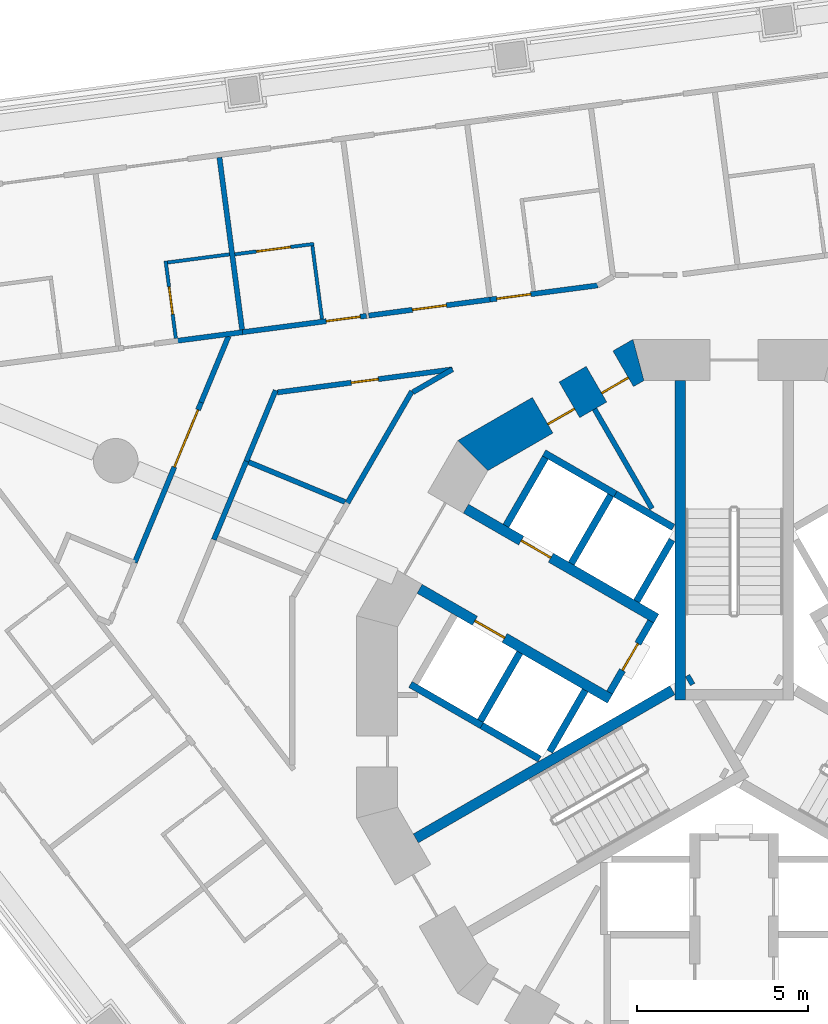
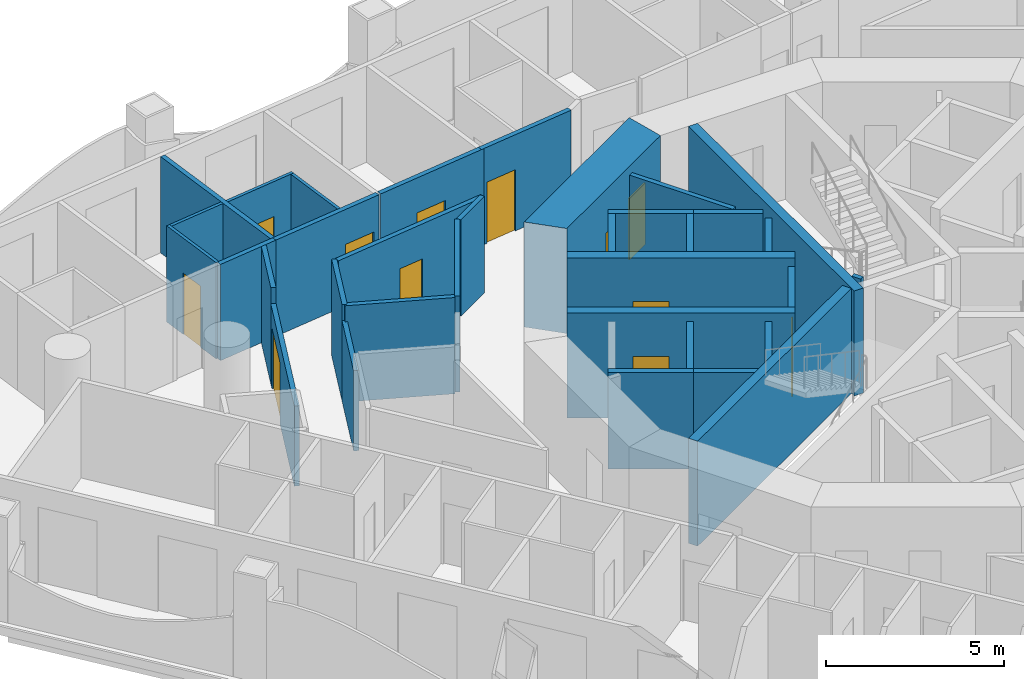
# One storey, part 7 of 19: 34 walls, 12 doors, 12 openings.
"""IFC4 building model written with IfcOpenShell, lengths in metres."""

from ifc_helpers import new_model, si_unit, direction, frame, frame_2d, origin, place, context, subcontext, project, spatial, polyline, rectangle, outline, extrude, material, layer, layer_set, type_object, element, fill, save


model = new_model("IFC4")

# Units and contexts
model_context = context("Model", 3, precision=1e-05, world=origin(), true_north=direction((0.0, 1.0)))
body_context = subcontext(model_context, "Body", "Model", "MODEL_VIEW")
ifc_project = project(units=[si_unit("LENGTHUNIT", "METRE"), si_unit("AREAUNIT", "SQUARE_METRE"), si_unit("VOLUMEUNIT", "CUBIC_METRE"), si_unit("PLANEANGLEUNIT", "RADIAN"), si_unit("MASSUNIT", "GRAM", prefix="KILO")], contexts=[model_context])

# Site, building, storey
site_placement = place(None, origin())
site = spatial("IfcSite", under=ifc_project, at=site_placement, CompositionType="ELEMENT")
building_placement = place(site_placement, origin())
building = spatial("IfcBuilding", under=site, at=building_placement, Name="Trine Commons Tower", CompositionType="ELEMENT")
storey_placement = place(building_placement, frame((0.0, 0.0, 54.0)))
storey = spatial("IfcBuildingStorey", under=building, at=storey_placement, Name="L12", CompositionType="ELEMENT", Elevation=54.0)

# Wall
ifc_material_1 = material(Name="Plasterboard partition on steel studs", Category="steel")
ifc_layer_1 = layer(ifc_material_1, 0.14990234375)
ifc_layer_set_1 = layer_set([ifc_layer_1], Name="Plasterboard partition on steel studs")
wall_type_1 = type_object("IfcWallType", Name="Core room partition 150 mm, EI 60", PredefinedType="PARTITIONING", material=ifc_layer_set_1)
wall_1_placement = place(storey_placement, frame((75.928955078125, 71.47900390625, 0.0), z_axis=(0.0, 0.0, 1.0), x_axis=(0.499985139611, -0.866033983264, 0.0)))
element("IfcWall", 1, at=wall_1_placement, inside=storey, type_object=wall_type_1, Name="Core room partition L12", PredefinedType="PARTITIONING", context=body_context, shape_type="SweptSolid", body=[
    extrude(rectangle(XDim=3.35205078125, YDim=0.14990234375, at=frame_2d((1.676025390625, 0.0))), origin(), (0.0, 0.0, 1.0), 3.300048828125),
])

# Wall, opening, door
ifc_material_2 = material(Name="Fire-rated gypsum shaft wall system")
ifc_layer_2 = layer(ifc_material_2, 0.199951171875)
ifc_layer_set_2 = layer_set([ifc_layer_2], Name="Fire-rated gypsum shaft wall system")
wall_type_2 = type_object("IfcWallType", Name="Lobby end wall 200 mm, EI 120", PredefinedType="PARTITIONING", material=ifc_layer_set_2)
wall_2_placement = place(storey_placement, frame((77.569091796875, 65.2890625, 0.0), z_axis=(0.0, 0.0, 1.0), x_axis=(-0.50012165622, -0.865955154139, 0.0)))
wall_2 = element("IfcWall", 2, at=wall_2_placement, inside=storey, type_object=wall_type_2, Name="Lobby end wall L12", PredefinedType="PARTITIONING", context=body_context, shape_type="SweptSolid", body=[
    extrude(rectangle(XDim=2.39990234375, YDim=0.199951171875, at=frame_2d((1.199951171875, 0.0))), origin(), (0.0, 0.0, 1.0), 3.300048828125),
])
opening_1_placement = place(wall_2_placement, frame((0.749755859375, 0.0, 0.0)))
opening_1 = element("IfcOpeningElement", 3, at=opening_1_placement, cuts=wall_2, Name="Opening K07.07", PredefinedType="OPENING", context=body_context, shape_type="SweptSolid", body=[
    extrude(rectangle(XDim=0.89990234375, YDim=2.10009765625, at=frame_2d((0.449951171875, 1.050048828125))), frame((0.0, 0.10986328125, 0.0), z_axis=(0.0, -1.0, 0.0), x_axis=(1.0, 0.0, 0.0)), (0.0, 0.0, 1.0), 0.219970703125),
])
ifc_material_3 = material(Name="Steel door leaf, fire-rated", Category="steel")
door_type_1 = type_object("IfcDoorType", Name="Riser access door, single leaf 900 x 2100, FD60", OperationType="SINGLE_SWING_LEFT", PredefinedType="DOOR", material=ifc_material_3)
door_1_placement = place(opening_1_placement, frame((0.89990234375, 0.0, 0.0), z_axis=(0.0, 0.0, 1.0), x_axis=(-1.0, 0.0, 0.0)))
door_1 = element("IfcDoor", 4, at=door_1_placement, inside=storey, type_object=door_type_1, Name="Riser door, Mechanical riser L12", OperationType="SINGLE_SWING_RIGHT", OverallHeight=2.10009765625, OverallWidth=0.89990234375, PredefinedType="DOOR", context=body_context, shape_type="SweptSolid", body=[
    extrude(rectangle(XDim=0.89990234375, YDim=2.10009765625, at=frame_2d((0.449951171875, 1.050048828125))), frame((0.0, 0.02490234375, 0.0), z_axis=(0.0, -1.0, 0.0), x_axis=(1.0, 0.0, 0.0)), (0.0, 0.0, 1.0), 0.050048828125),
])
fill(opening_1, door_1)

# Wall, openings, doors
ifc_material_4 = material(Name="Concrete C80/95", Category="concrete")
ifc_layer_3 = layer(ifc_material_4, 1.199951171875)
ifc_layer_set_3 = layer_set([ifc_layer_3], Name="Concrete C80/95")
wall_type_3 = type_object("IfcWallType", Name="RC shear wall 1200 mm, C80/95", PredefinedType="SHEAR", material=ifc_layer_set_3)
wall_3_placement = place(storey_placement, frame((77.349609375, 72.991943359375, 0.0), z_axis=(0.0, 0.0, 1.0), x_axis=(-0.866037463336, -0.499979111662, 0.0)))
wall_3 = element("IfcWall", 5, at=wall_3_placement, inside=storey, type_object=wall_type_3, Name="Core wall CWB-05 L12", PredefinedType="SHEAR", context=body_context, shape_type="SweptSolid", body=[
    extrude(outline(polyline([(0.0, -0.60009765625), (5.901123046875, -0.60009765625), (5.57958984375, 0.60009765625), (0.321533203125, 0.60009765625), (0.0, -0.60009765625)])), origin(), (0.0, 0.0, 1.0), 3.60009765625),
])
opening_2_placement = place(wall_3_placement, frame((0.6748046875, 0.0, 0.0)))
opening_2 = element("IfcOpeningElement", 6, at=opening_2_placement, cuts=wall_3, Name="Opening K07.12", PredefinedType="OPENING", context=body_context, shape_type="SweptSolid", body=[
    extrude(rectangle(XDim=0.89990234375, YDim=2.10009765625, at=frame_2d((0.449951171875, 1.050048828125))), frame((0.0, 0.60986328125, 0.0), z_axis=(0.0, -1.0, 0.0), x_axis=(1.0, 0.0, 0.0)), (0.0, 0.0, 1.0), 1.219970703125),
])
opening_3_placement = place(wall_3_placement, frame((2.48681640625, 0.0, 0.0)))
opening_3 = element("IfcOpeningElement", 7, at=opening_3_placement, cuts=wall_3, Name="Opening K07.13", PredefinedType="OPENING", context=body_context, shape_type="SweptSolid", body=[
    extrude(rectangle(XDim=0.89990234375, YDim=2.10009765625, at=frame_2d((0.449951171875, 1.050048828125))), frame((0.0, 0.60986328125, 0.0), z_axis=(0.0, -1.0, 0.0), x_axis=(1.0, 0.0, 0.0)), (0.0, 0.0, 1.0), 1.219970703125),
])
door_type_2 = type_object("IfcDoorType", Name="Core room door, single leaf 900 x 2100, FD30S", OperationType="SINGLE_SWING_LEFT", PredefinedType="DOOR", material=ifc_material_3)
door_2_placement = place(opening_2_placement, origin())
door_2 = element("IfcDoor", 8, at=door_2_placement, inside=storey, type_object=door_type_2, Name="Door to Pantry L12", OperationType="SINGLE_SWING_LEFT", OverallHeight=2.10009765625, OverallWidth=0.89990234375, PredefinedType="DOOR", context=body_context, shape_type="SweptSolid", body=[
    extrude(rectangle(XDim=0.89990234375, YDim=2.10009765625, at=frame_2d((0.449951171875, 1.050048828125))), frame((0.0, 0.3251953125, 0.0), z_axis=(0.0, -1.0, 0.0), x_axis=(1.0, 0.0, 0.0)), (0.0, 0.0, 1.0), 0.050048828125),
])
fill(opening_2, door_2)
door_3_placement = place(opening_3_placement, origin())
door_3 = element("IfcDoor", 9, at=door_3_placement, inside=storey, type_object=door_type_2, Name="Door to Comms room L12", OperationType="SINGLE_SWING_LEFT", OverallHeight=2.10009765625, OverallWidth=0.89990234375, PredefinedType="DOOR", context=body_context, shape_type="SweptSolid", body=[
    extrude(rectangle(XDim=0.89990234375, YDim=2.10009765625, at=frame_2d((0.449951171875, 1.050048828125))), frame((0.0, 0.3251953125, 0.0), z_axis=(0.0, -1.0, 0.0), x_axis=(1.0, 0.0, 0.0)), (0.0, 0.0, 1.0), 0.050048828125),
])
fill(opening_3, door_3)

# Wall, opening, door
ifc_layer_4 = layer(ifc_material_4, 0.300048828125)
ifc_layer_set_4 = layer_set([ifc_layer_4], Name="Concrete C80/95")
wall_type_4 = type_object("IfcWallType", Name="RC shear wall 300 mm, C80/95", PredefinedType="SHEAR", material=ifc_layer_set_4)
wall_4_placement = place(storey_placement, frame((76.381103515625, 63.031005859375, 0.0), z_axis=(0.0, 0.0, 1.0), x_axis=(-0.866032150378, 0.499988314375, 0.0)))
wall_4 = element("IfcWall", 10, at=wall_4_placement, inside=storey, type_object=wall_type_4, Name="Core cross wall SWA-01 L12", PredefinedType="SHEAR", context=body_context, shape_type="SweptSolid", body=[
    extrude(rectangle(XDim=6.412353515625, YDim=0.300048828125, at=frame_2d((3.2060546875, 0.0))), origin(), (0.0, 0.0, 1.0), 3.60009765625),
])
opening_4_placement = place(wall_4_placement, frame((3.55029296875, 0.0, 0.0)))
opening_4 = element("IfcOpeningElement", 11, at=opening_4_placement, cuts=wall_4, Name="Opening LD3", PredefinedType="OPENING", context=body_context, shape_type="SweptSolid", body=[
    extrude(rectangle(XDim=1.0, YDim=2.10009765625, at=frame_2d((0.5, 1.050048828125))), frame((0.0, 0.159912109375, 0.0), z_axis=(0.0, -1.0, 0.0), x_axis=(1.0, 0.0, 0.0)), (0.0, 0.0, 1.0), 0.320068359375),
])
ifc_material_5 = material(Name="Stainless steel sliding door leaves", Category="steel")
door_type_3 = type_object("IfcDoorType", Name="Lift landing door, centre-opening sliding 1000 x 2100, FD90", OperationType="DOUBLE_DOOR_SLIDING", PredefinedType="DOOR", material=ifc_material_5)
door_4_placement = place(opening_4_placement, origin())
door_4 = element("IfcDoor", 12, at=door_4_placement, inside=storey, type_object=door_type_3, Name="Lift landing door LR3 L12", OperationType="DOUBLE_DOOR_SLIDING", OverallHeight=2.10009765625, OverallWidth=1.0, PredefinedType="DOOR", context=body_context, shape_type="SweptSolid", body=[
    extrude(rectangle(XDim=1.0, YDim=2.10009765625, at=frame_2d((0.5, 1.050048828125))), frame((0.0, 0.02490234375, 0.0), z_axis=(0.0, -1.0, 0.0), x_axis=(1.0, 0.0, 0.0)), (0.0, 0.0, 1.0), 0.050048828125),
])
fill(opening_4, door_4)

wall_5_placement = place(storey_placement, frame((77.73095703125, 65.368896484375, 0.0), z_axis=(0.0, 0.0, 1.0), x_axis=(-0.866022631842, 0.500004801114, 0.0)))
wall_5 = element("IfcWall", 13, at=wall_5_placement, inside=storey, type_object=wall_type_4, Name="Core cross wall SWA-02 L12", PredefinedType="SHEAR", context=body_context, shape_type="SweptSolid", body=[
    extrude(rectangle(XDim=6.412109375, YDim=0.300048828125, at=frame_2d((3.2060546875, 0.0))), origin(), (0.0, 0.0, 1.0), 3.60009765625),
])
opening_5_placement = place(wall_5_placement, frame((3.55029296875, 0.0, 0.0)))
opening_5 = element("IfcOpeningElement", 14, at=opening_5_placement, cuts=wall_5, Name="Opening LD4", PredefinedType="OPENING", context=body_context, shape_type="SweptSolid", body=[
    extrude(rectangle(XDim=1.0, YDim=2.10009765625, at=frame_2d((0.5, 1.050048828125))), frame((0.0, 0.159912109375, 0.0), z_axis=(0.0, -1.0, 0.0), x_axis=(1.0, 0.0, 0.0)), (0.0, 0.0, 1.0), 0.320068359375),
])
door_5_placement = place(opening_5_placement, origin())
door_5 = element("IfcDoor", 15, at=door_5_placement, inside=storey, type_object=door_type_3, Name="Lift landing door LR4 L12", OperationType="DOUBLE_DOOR_SLIDING", OverallHeight=2.10009765625, OverallWidth=1.0, PredefinedType="DOOR", context=body_context, shape_type="SweptSolid", body=[
    extrude(rectangle(XDim=1.0, YDim=2.10009765625, at=frame_2d((0.5, 1.050048828125))), frame((0.0, 0.02490234375, 0.0), z_axis=(0.0, -1.0, 0.0), x_axis=(1.0, 0.0, 0.0)), (0.0, 0.0, 1.0), 0.050048828125),
])
fill(opening_5, door_5)

# Walls
wall_6_placement = place(storey_placement, frame((78.199951171875, 63.280029296875, 0.0), z_axis=(0.0, 0.0, 1.0), x_axis=(-0.865965399159, -0.500103916661, 0.0)))
element("IfcWall", 16, at=wall_6_placement, inside=storey, type_object=wall_type_4, Name="Core cross wall SWA-07 L12", PredefinedType="SHEAR", context=body_context, shape_type="SweptSolid", body=[
    extrude(rectangle(XDim=8.642333984375, YDim=0.300048828125, at=frame_2d((4.3212890625, 0.0))), origin(), (0.0, 0.0, 1.0), 3.60009765625),
])
wall_7_placement = place(storey_placement, frame((78.425048828125, 63.0009765625, 0.0), z_axis=(0.0, 0.0, 1.0), x_axis=(0.0, 1.0, 0.0)))
element("IfcWall", 17, at=wall_7_placement, inside=storey, type_object=wall_type_4, Name="Core cross wall SWA-08 L12", PredefinedType="SHEAR", context=body_context, shape_type="SweptSolid", body=[
    extrude(rectangle(XDim=9.31103515625, YDim=0.300048828125, at=frame_2d((4.655517578125, 0.0))), origin(), (0.0, 0.0, 1.0), 3.60009765625),
])
wall_8_placement = place(storey_placement, frame((78.779052734375, 63.614013671875, 0.0), z_axis=(0.0, 0.0, 1.0), x_axis=(-0.867737973955, -0.497021939713, 0.0)))
element("IfcWall", 18, at=wall_8_placement, inside=storey, type_object=wall_type_4, Name="Core cross wall SWA-09 L12", PredefinedType="SHEAR", context=body_context, shape_type="SweptSolid", body=[
    extrude(rectangle(XDim=0.14892578125, YDim=0.300048828125, at=frame_2d((0.074462890625, 0.0))), origin(), (0.0, 0.0, 1.0), 3.60009765625),
])
ifc_layer_5 = layer(ifc_material_2, 0.199951171875)
ifc_layer_set_5 = layer_set([ifc_layer_5], Name="Fire-rated gypsum shaft wall system")
wall_type_5 = type_object("IfcWallType", Name="Shaft wall 200 mm, EI 120", PredefinedType="PARTITIONING", material=ifc_layer_set_5)
wall_9_placement = place(storey_placement, frame((72.637939453125, 62.248046875, 0.0), z_axis=(0.0, 0.0, 1.0), x_axis=(-0.866177122335, 0.499737123639, 0.0)))
element("IfcWall", 19, at=wall_9_placement, inside=storey, type_object=wall_type_5, Name="Shaft wall L12", PredefinedType="PARTITIONING", context=body_context, shape_type="SweptSolid", body=[
    extrude(rectangle(XDim=2.401123046875, YDim=0.199951171875, at=frame_2d((1.20068359375, 0.0))), origin(), (0.0, 0.0, 1.0), 3.300048828125),
])
wall_10_placement = place(storey_placement, frame((73.344970703125, 68.073974609375, 0.0), z_axis=(0.0, 0.0, 1.0), x_axis=(0.500215680983, 0.865900844496, 0.0)))
element("IfcWall", 20, at=wall_10_placement, inside=storey, type_object=wall_type_5, Name="Shaft wall L12", PredefinedType="PARTITIONING", context=body_context, shape_type="SweptSolid", body=[
    extrude(rectangle(XDim=2.29931640625, YDim=0.199951171875, at=frame_2d((1.149658203125, 0.0))), origin(), (0.0, 0.0, 1.0), 3.300048828125),
])
wall_11_placement = place(storey_placement, frame((73.7509765625, 64.3759765625, 0.0), z_axis=(0.0, 0.0, 1.0), x_axis=(-0.500136062276, -0.86594683394, 0.0)))
element("IfcWall", 21, at=wall_11_placement, inside=storey, type_object=wall_type_5, Name="Shaft wall L12", PredefinedType="PARTITIONING", context=body_context, shape_type="SweptSolid", body=[
    extrude(rectangle(XDim=2.299072265625, YDim=0.199951171875, at=frame_2d((1.1494140625, 0.0))), origin(), (0.0, 0.0, 1.0), 3.300048828125),
])
wall_12_placement = place(storey_placement, frame((74.324951171875, 61.27294921875, 0.0), z_axis=(0.0, 0.0, 1.0), x_axis=(-0.865780634835, 0.500423712812, 0.0)))
element("IfcWall", 22, at=wall_12_placement, inside=storey, type_object=wall_type_5, Name="Shaft wall L12", PredefinedType="PARTITIONING", context=body_context, shape_type="SweptSolid", body=[
    extrude(rectangle(XDim=1.948486328125, YDim=0.199951171875, at=frame_2d((0.97412109375, 0.0))), origin(), (0.0, 0.0, 1.0), 3.300048828125),
])
wall_13_placement = place(storey_placement, frame((75.2509765625, 66.97412109375, 0.0), z_axis=(0.0, 0.0, 1.0), x_axis=(0.500136062276, 0.86594683394, 0.0)))
element("IfcWall", 23, at=wall_13_placement, inside=storey, type_object=wall_type_5, Name="Shaft wall L12", PredefinedType="PARTITIONING", context=body_context, shape_type="SweptSolid", body=[
    extrude(rectangle(XDim=2.299072265625, YDim=0.199951171875, at=frame_2d((1.1494140625, 0.0))), origin(), (0.0, 0.0, 1.0), 3.300048828125),
])
wall_14_placement = place(storey_placement, frame((75.656005859375, 63.27587890625, 0.0), z_axis=(0.0, 0.0, 1.0), x_axis=(-0.500271688072, -0.86586848777, 0.0)))
element("IfcWall", 24, at=wall_14_placement, inside=storey, type_object=wall_type_5, Name="Shaft wall L12", PredefinedType="PARTITIONING", context=body_context, shape_type="SweptSolid", body=[
    extrude(rectangle(XDim=2.064697265625, YDim=0.199951171875, at=frame_2d((1.0322265625, 0.0))), origin(), (0.0, 0.0, 1.0), 3.300048828125),
])
wall_15_placement = place(storey_placement, frame((76.5380859375, 69.001953125, 0.0), z_axis=(0.0, 0.0, 1.0), x_axis=(-0.866202511239, 0.499693115345, 0.0)))
element("IfcWall", 25, at=wall_15_placement, inside=storey, type_object=wall_type_5, Name="Shaft wall L12", PredefinedType="PARTITIONING", context=body_context, shape_type="SweptSolid", body=[
    extrude(rectangle(XDim=2.4013671875, YDim=0.199951171875, at=frame_2d((1.20068359375, 0.0))), origin(), (0.0, 0.0, 1.0), 3.300048828125),
])
wall_16_placement = place(storey_placement, frame((77.156005859375, 65.8740234375, 0.0), z_axis=(0.0, 0.0, 1.0), x_axis=(0.499865770674, 0.866102887253, 0.0)))
element("IfcWall", 26, at=wall_16_placement, inside=storey, type_object=wall_type_5, Name="Shaft wall L12", PredefinedType="PARTITIONING", context=body_context, shape_type="SweptSolid", body=[
    extrude(rectangle(XDim=2.064453125, YDim=0.199951171875, at=frame_2d((1.0322265625, 0.0))), origin(), (0.0, 0.0, 1.0), 3.300048828125),
])
wall_17_placement = place(storey_placement, frame((78.22509765625, 68.028076171875, 0.0), z_axis=(0.0, 0.0, 1.0), x_axis=(-0.866052014814, 0.499953905513, 0.0)))
element("IfcWall", 27, at=wall_17_placement, inside=storey, type_object=wall_type_5, Name="Shaft wall L12", PredefinedType="PARTITIONING", context=body_context, shape_type="SweptSolid", body=[
    extrude(rectangle(XDim=1.947998046875, YDim=0.199951171875, at=frame_2d((0.97412109375, 0.0))), origin(), (0.0, 0.0, 1.0), 3.300048828125),
])

# Wall, opening, door
ifc_material_6 = material(Name="Gypsum plasterboard on steel stud", Category="steel")
ifc_layer_6 = layer(ifc_material_6, 0.14990234375)
ifc_layer_set_6 = layer_set([ifc_layer_6], Name="Gypsum plasterboard on steel stud")
wall_type_6 = type_object("IfcWallType", Name="Unit and corridor wall 150 mm, EI 60", PredefinedType="PARTITIONING", material=ifc_layer_set_6)
wall_18_placement = place(storey_placement, frame((62.52197265625, 67.007080078125, 0.0), z_axis=(0.0, 0.0, 1.0), x_axis=(0.382650715136, 0.923893083753, 0.0)))
wall_18 = element("IfcWall", 28, at=wall_18_placement, inside=storey, type_object=wall_type_6, Name="Partition 022", PredefinedType="PARTITIONING", context=body_context, shape_type="SweptSolid", body=[
    extrude(rectangle(XDim=5.04931640625, YDim=0.14990234375, at=frame_2d((2.524658203125, 0.0))), origin(), (0.0, 0.0, 1.0), 2.75),
])
opening_6_placement = place(wall_18_placement, frame((3.014404296875, 0.0, 0.0)))
opening_6 = element("IfcOpeningElement", 29, at=opening_6_placement, cuts=wall_18, Name="Opening D-2A03", PredefinedType="OPENING", context=body_context, shape_type="SweptSolid", body=[
    extrude(rectangle(XDim=1.800048828125, YDim=2.10009765625, at=frame_2d((0.89990234375, 1.050048828125))), frame((0.0, 0.0849609375, 0.0), z_axis=(0.0, -1.0, 0.0), x_axis=(1.0, 0.0, 0.0)), (0.0, 0.0, 1.0), 0.169921875),
])
ifc_material_7 = material(Name="Timber fire door set", Category="wood")
door_type_4 = type_object("IfcDoorType", Name="Cluster entrance door 1800 x 2100, double leaf, FD30S", OperationType="DOUBLE_DOOR_DOUBLE_SWING", PredefinedType="DOOR", material=ifc_material_7)
door_6_placement = place(opening_6_placement, origin())
door_6 = element("IfcDoor", 30, at=door_6_placement, inside=storey, type_object=door_type_4, Name="Door D-2A03", OperationType="DOUBLE_DOOR_DOUBLE_SWING", OverallHeight=2.10009765625, OverallWidth=1.800048828125, PredefinedType="DOOR", context=body_context, shape_type="SweptSolid", body=[
    extrude(rectangle(XDim=1.800048828125, YDim=2.10009765625, at=frame_2d((0.89990234375, 1.050048828125))), frame((0.0, 0.02490234375, 0.0), z_axis=(0.0, -1.0, 0.0), x_axis=(1.0, 0.0, 0.0)), (0.0, 0.0, 1.0), 0.050048828125),
])
fill(opening_6, door_6)

# Walls
wall_19_placement = place(storey_placement, frame((63.722900390625, 73.467041015625, 0.0), z_axis=(0.0, 0.0, 1.0), x_axis=(0.991489487772, 0.130186772134, 0.0)))
element("IfcWall", 31, at=wall_19_placement, inside=storey, type_object=wall_type_6, Name="Partition 027", PredefinedType="PARTITIONING", context=body_context, shape_type="SweptSolid", body=[
    extrude(rectangle(XDim=1.957763671875, YDim=0.14990234375, at=frame_2d((0.97900390625, 0.0))), origin(), (0.0, 0.0, 1.0), 3.300048828125),
])
wall_20_placement = place(storey_placement, frame((64.4541015625, 71.672119140625, 0.0), z_axis=(0.0, 0.0, 1.0), x_axis=(0.382922635391, 0.923780415091, 0.0)))
element("IfcWall", 32, at=wall_20_placement, inside=storey, type_object=wall_type_6, Name="Partition 030", PredefinedType="PARTITIONING", context=body_context, shape_type="SweptSolid", body=[
    extrude(rectangle(XDim=2.08984375, YDim=0.14990234375, at=frame_2d((1.044921875, 0.0))), origin(), (0.0, 0.0, 1.0), 3.300048828125),
])
wall_21_placement = place(storey_placement, frame((64.826416015625, 67.671630859375, 0.0), z_axis=(0.0, 0.0, 1.0), x_axis=(0.382785873713, 0.923837093261, 0.0)))
element("IfcWall", 33, at=wall_21_placement, inside=storey, type_object=wall_type_6, Name="Partition 033", PredefinedType="PARTITIONING", context=body_context, shape_type="SweptSolid", body=[
    extrude(rectangle(XDim=2.483642578125, YDim=0.14990234375, at=frame_2d((1.24169921875, 0.0))), origin(), (0.0, 0.0, 1.0), 2.75),
])
wall_22_placement = place(storey_placement, frame((64.9892578125, 78.8173828125, 0.0), z_axis=(0.0, 0.0, 1.0), x_axis=(0.130499406053, -0.991448387471, 0.0)))
element("IfcWall", 34, at=wall_22_placement, inside=storey, type_object=wall_type_6, Name="Partition 035", PredefinedType="PARTITIONING", context=body_context, shape_type="SweptSolid", body=[
    extrude(rectangle(XDim=5.064208984375, YDim=0.14990234375, at=frame_2d((2.5322265625, 0.0))), origin(), (0.0, 0.0, 1.0), 3.300048828125),
])

# Wall, opening, door
wall_23_placement = place(storey_placement, frame((65.656005859375, 73.720947265625, 0.0), z_axis=(0.0, 0.0, 1.0), x_axis=(0.991433351305, 0.130613590106, 0.0)))
wall_23 = element("IfcWall", 35, at=wall_23_placement, inside=storey, type_object=wall_type_6, Name="Partition 037", PredefinedType="PARTITIONING", context=body_context, shape_type="SweptSolid", body=[
    extrude(rectangle(XDim=3.65234375, YDim=0.14990234375, at=frame_2d((1.826171875, 0.0))), origin(), (0.0, 0.0, 1.0), 3.300048828125),
])
opening_7_placement = place(wall_23_placement, frame((2.47314453125, 0.0, 0.0)))
opening_7 = element("IfcOpeningElement", 36, at=opening_7_placement, cuts=wall_23, Name="Opening D-2A09", PredefinedType="OPENING", context=body_context, shape_type="SweptSolid", body=[
    extrude(rectangle(XDim=1.0, YDim=2.10009765625, at=frame_2d((0.5, 1.050048828125))), frame((0.0, 0.0849609375, 0.0), z_axis=(0.0, -1.0, 0.0), x_axis=(1.0, 0.0, 0.0)), (0.0, 0.0, 1.0), 0.169921875),
])
door_type_5 = type_object("IfcDoorType", Name="Bedroom door 1000 x 2100, FD30S", OperationType="NOTDEFINED", PredefinedType="DOOR", material=ifc_material_7)
door_7_placement = place(opening_7_placement, origin())
door_7 = element("IfcDoor", 37, at=door_7_placement, inside=storey, type_object=door_type_5, Name="Door D-2A09", OperationType="SINGLE_SWING_RIGHT", OverallHeight=2.10009765625, OverallWidth=1.0, PredefinedType="DOOR", context=body_context, shape_type="SweptSolid", body=[
    extrude(rectangle(XDim=1.0, YDim=2.10009765625, at=frame_2d((0.5, 1.050048828125))), frame((0.0, 0.02490234375, 0.0), z_axis=(0.0, -1.0, 0.0), x_axis=(1.0, 0.0, 0.0)), (0.0, 0.0, 1.0), 0.050048828125),
])
fill(opening_7, door_7)

# Walls
wall_24_placement = place(storey_placement, frame((65.77392578125, 69.9580078125, 0.0), z_axis=(0.0, 0.0, 1.0), x_axis=(0.382599241046, 0.923914401203, 0.0)))
element("IfcWall", 38, at=wall_24_placement, inside=storey, type_object=wall_type_6, Name="Partition 039", PredefinedType="PARTITIONING", context=body_context, shape_type="SweptSolid", body=[
    extrude(rectangle(XDim=2.236572265625, YDim=0.14990234375, at=frame_2d((1.1181640625, 0.0))), origin(), (0.0, 0.0, 1.0), 3.300048828125),
])
wall_25_placement = place(storey_placement, frame((65.77490234375, 69.9619140625, 0.0), z_axis=(0.0, 0.0, 1.0), x_axis=(0.923918484918, -0.382589379397, 0.0)))
element("IfcWall", 39, at=wall_25_placement, inside=storey, type_object=wall_type_6, Name="Partition 040", PredefinedType="PARTITIONING", context=body_context, shape_type="SweptSolid", body=[
    extrude(rectangle(XDim=3.115966796875, YDim=0.14990234375, at=frame_2d((1.55810546875, 0.0))), origin(), (0.0, 0.0, 1.0), 3.300048828125),
])

# Wall, opening, door
wall_26_placement = place(storey_placement, frame((66.67529296875, 71.96484375, 0.0), z_axis=(0.0, 0.0, 1.0), x_axis=(0.991459293276, 0.130416524172, 0.0)))
wall_26 = element("IfcWall", 40, at=wall_26_placement, inside=storey, type_object=wall_type_6, Name="Partition 041", PredefinedType="PARTITIONING", context=body_context, shape_type="SweptSolid", body=[
    extrude(rectangle(XDim=5.153564453125, YDim=0.14990234375, at=frame_2d((2.57666015625, 0.0))), origin(), (0.0, 0.0, 1.0), 3.300048828125),
])
opening_8_placement = place(wall_26_placement, frame((2.17578125, 0.0, 0.0)))
opening_8 = element("IfcOpeningElement", 41, at=opening_8_placement, cuts=wall_26, Name="Opening D-2A39", PredefinedType="OPENING", context=body_context, shape_type="SweptSolid", body=[
    extrude(rectangle(XDim=0.800048828125, YDim=2.10009765625, at=frame_2d((0.39990234375, 1.050048828125))), frame((0.0, 0.0849609375, 0.0), z_axis=(0.0, -1.0, 0.0), x_axis=(1.0, 0.0, 0.0)), (0.0, 0.0, 1.0), 0.169921875),
])
ifc_material_8 = material(Name="Painted timber", Category="wood")
door_type_6 = type_object("IfcDoorType", Name="Toilet door 800 x 2100, NOT RATED", OperationType="NOTDEFINED", PredefinedType="DOOR", material=ifc_material_8)
door_8_placement = place(opening_8_placement, frame((0.800048828125, 0.0, 0.0), z_axis=(0.0, 0.0, 1.0), x_axis=(-1.0, 0.0, 0.0)))
door_8 = element("IfcDoor", 42, at=door_8_placement, inside=storey, type_object=door_type_6, Name="Door D-2A39", OperationType="SINGLE_SWING_RIGHT", OverallHeight=2.10009765625, OverallWidth=0.800048828125, PredefinedType="DOOR", context=body_context, shape_type="SweptSolid", body=[
    extrude(rectangle(XDim=0.800048828125, YDim=2.10009765625, at=frame_2d((0.39990234375, 1.050048828125))), frame((0.0, 0.02490234375, 0.0), z_axis=(0.0, -1.0, 0.0), x_axis=(1.0, 0.0, 0.0)), (0.0, 0.0, 1.0), 0.050048828125),
])
fill(opening_8, door_8)

# Wall
wall_27_placement = place(storey_placement, frame((68.720947265625, 68.737060546875, 0.0), z_axis=(0.0, 0.0, 1.0), x_axis=(0.499855260579, 0.866108953002, 0.0)))
element("IfcWall", 43, at=wall_27_placement, inside=storey, type_object=wall_type_6, Name="Partition 050", PredefinedType="PARTITIONING", context=body_context, shape_type="SweptSolid", body=[
    extrude(rectangle(XDim=3.76611328125, YDim=0.14990234375, at=frame_2d((1.883056640625, 0.0))), origin(), (0.0, 0.0, 1.0), 3.300048828125),
])

# Wall, opening, door
wall_28_placement = place(storey_placement, frame((69.343505859375, 74.206787109375, 0.0), z_axis=(0.0, 0.0, 1.0), x_axis=(0.991427646688, 0.130656884173, 0.0)))
wall_28 = element("IfcWall", 44, at=wall_28_placement, inside=storey, type_object=wall_type_6, Name="Partition 053", PredefinedType="PARTITIONING", context=body_context, shape_type="SweptSolid", body=[
    extrude(rectangle(XDim=3.651123046875, YDim=0.14990234375, at=frame_2d((1.82568359375, 0.0))), origin(), (0.0, 0.0, 1.0), 3.300048828125),
])
opening_9_placement = place(wall_28_placement, frame((1.285888671875, 0.0, 0.0)))
opening_9 = element("IfcOpeningElement", 45, at=opening_9_placement, cuts=wall_28, Name="Opening D-2A10", PredefinedType="OPENING", context=body_context, shape_type="SweptSolid", body=[
    extrude(rectangle(XDim=1.0, YDim=2.10009765625, at=frame_2d((0.5, 1.050048828125))), frame((0.0, 0.0849609375, 0.0), z_axis=(0.0, -1.0, 0.0), x_axis=(1.0, 0.0, 0.0)), (0.0, 0.0, 1.0), 0.169921875),
])
door_type_7 = type_object("IfcDoorType", Name="Amenity room door 1000 x 2100, NOT RATED", OperationType="NOTDEFINED", PredefinedType="DOOR", material=ifc_material_8)
door_9_placement = place(opening_9_placement, origin())
door_9 = element("IfcDoor", 46, at=door_9_placement, inside=storey, type_object=door_type_7, Name="Door D-2A10", OperationType="SINGLE_SWING_LEFT", OverallHeight=2.10009765625, OverallWidth=1.0, PredefinedType="DOOR", context=body_context, shape_type="SweptSolid", body=[
    extrude(rectangle(XDim=1.0, YDim=2.10009765625, at=frame_2d((0.5, 1.050048828125))), frame((0.0, 0.02490234375, 0.0), z_axis=(0.0, -1.0, 0.0), x_axis=(1.0, 0.0, 0.0)), (0.0, 0.0, 1.0), 0.050048828125),
])
fill(opening_9, door_9)

# Wall
wall_29_placement = place(storey_placement, frame((70.630859375, 71.971435546875, 0.0), z_axis=(0.0, 0.0, 1.0), x_axis=(0.865822790046, 0.500350773195, 0.0)))
element("IfcWall", 47, at=wall_29_placement, inside=storey, type_object=wall_type_6, Name="Partition 056", PredefinedType="PARTITIONING", context=body_context, shape_type="SweptSolid", body=[
    extrude(rectangle(XDim=1.333984375, YDim=0.14990234375, at=frame_2d((0.6669921875, 0.0))), origin(), (0.0, 0.0, 1.0), 3.300048828125),
])

# Wall, opening, door
wall_30_placement = place(storey_placement, frame((72.881103515625, 74.673095703125, 0.0), z_axis=(0.0, 0.0, 1.0), x_axis=(0.991447742753, 0.130504304105, 0.0)))
wall_30 = element("IfcWall", 48, at=wall_30_placement, inside=storey, type_object=wall_type_6, Name="Partition 063", PredefinedType="PARTITIONING", context=body_context, shape_type="SweptSolid", body=[
    extrude(rectangle(XDim=3.1708984375, YDim=0.14990234375, at=frame_2d((1.58544921875, 0.0))), origin(), (0.0, 0.0, 1.0), 3.300048828125),
])
opening_10_placement = place(wall_30_placement, frame((0.197998046875, 0.0, 0.0)))
opening_10 = element("IfcOpeningElement", 49, at=opening_10_placement, cuts=wall_30, Name="Opening D-2A11", PredefinedType="OPENING", context=body_context, shape_type="SweptSolid", body=[
    extrude(rectangle(XDim=1.0, YDim=2.10009765625, at=frame_2d((0.5, 1.050048828125))), frame((0.0, 0.0849609375, 0.0), z_axis=(0.0, -1.0, 0.0), x_axis=(1.0, 0.0, 0.0)), (0.0, 0.0, 1.0), 0.169921875),
])
door_10_placement = place(opening_10_placement, origin())
door_10 = element("IfcDoor", 50, at=door_10_placement, inside=storey, type_object=door_type_5, Name="Door D-2A11", OperationType="SINGLE_SWING_LEFT", OverallHeight=2.10009765625, OverallWidth=1.0, PredefinedType="DOOR", context=body_context, shape_type="SweptSolid", body=[
    extrude(rectangle(XDim=1.0, YDim=2.10009765625, at=frame_2d((0.5, 1.050048828125))), frame((0.0, 0.02490234375, 0.0), z_axis=(0.0, -1.0, 0.0), x_axis=(1.0, 0.0, 0.0)), (0.0, 0.0, 1.0), 0.050048828125),
])
fill(opening_10, door_10)

ifc_layer_7 = layer(ifc_material_6, 0.10009765625)
ifc_layer_set_7 = layer_set([ifc_layer_7], Name="Gypsum plasterboard on steel stud")
wall_type_7 = type_object("IfcWallType", Name="Unit partition 100 mm, no rating", PredefinedType="PARTITIONING", material=ifc_layer_set_7)
wall_31_placement = place(storey_placement, frame((63.42041015625, 75.797607421875, 0.0), z_axis=(0.0, 0.0, 1.0), x_axis=(0.130518372124, -0.991445890878, 0.0)))
wall_31 = element("IfcWall", 51, at=wall_31_placement, inside=storey, type_object=wall_type_7, Name="Partition 025", PredefinedType="PARTITIONING", context=body_context, shape_type="SweptSolid", body=[
    extrude(rectangle(XDim=2.274658203125, YDim=0.10009765625, at=frame_2d((1.13720703125, 0.0))), origin(), (0.0, 0.0, 1.0), 3.300048828125),
])
opening_11_placement = place(wall_31_placement, frame((0.76220703125, 0.0, 0.0)))
opening_11 = element("IfcOpeningElement", 52, at=opening_11_placement, cuts=wall_31, Name="Opening D-2A42", PredefinedType="OPENING", context=body_context, shape_type="SweptSolid", body=[
    extrude(rectangle(XDim=0.800048828125, YDim=2.10009765625, at=frame_2d((0.39990234375, 1.050048828125))), frame((0.0, 0.06005859375, 0.0), z_axis=(0.0, -1.0, 0.0), x_axis=(1.0, 0.0, 0.0)), (0.0, 0.0, 1.0), 0.1201171875),
])
door_type_8 = type_object("IfcDoorType", Name="Internal door 800 x 2100, NOT RATED", OperationType="NOTDEFINED", PredefinedType="DOOR", material=ifc_material_8)
door_11_placement = place(opening_11_placement, frame((0.800048828125, 0.0, 0.0), z_axis=(0.0, 0.0, 1.0), x_axis=(-1.0, 0.0, 0.0)))
door_11 = element("IfcDoor", 53, at=door_11_placement, inside=storey, type_object=door_type_8, Name="Door D-2A42", OperationType="SINGLE_SWING_LEFT", OverallHeight=2.10009765625, OverallWidth=0.800048828125, PredefinedType="DOOR", context=body_context, shape_type="SweptSolid", body=[
    extrude(rectangle(XDim=0.800048828125, YDim=2.10009765625, at=frame_2d((0.39990234375, 1.050048828125))), frame((0.0, 0.02490234375, 0.0), z_axis=(0.0, -1.0, 0.0), x_axis=(1.0, 0.0, 0.0)), (0.0, 0.0, 1.0), 0.050048828125),
])
fill(opening_11, door_11)

# Wall
wall_32_placement = place(storey_placement, frame((63.4765625, 75.75439453125, 0.0), z_axis=(0.0, 0.0, 1.0), x_axis=(0.991471592706, 0.13032298668, 0.0)))
element("IfcWall", 54, at=wall_32_placement, inside=storey, type_object=wall_type_7, Name="Partition 026", PredefinedType="PARTITIONING", context=body_context, shape_type="SweptSolid", body=[
    extrude(rectangle(XDim=1.82470703125, YDim=0.10009765625, at=frame_2d((0.912353515625, 0.0))), origin(), (0.0, 0.0, 1.0), 3.300048828125),
])

# Wall, opening, door
wall_33_placement = place(storey_placement, frame((65.4375, 75.992919921875, 0.0), z_axis=(0.0, 0.0, 1.0), x_axis=(0.991499984132, 0.130106807916, 0.0)))
wall_33 = element("IfcWall", 55, at=wall_33_placement, inside=storey, type_object=wall_type_7, Name="Partition 036", PredefinedType="PARTITIONING", context=body_context, shape_type="SweptSolid", body=[
    extrude(rectangle(XDim=2.324951171875, YDim=0.10009765625, at=frame_2d((1.16259765625, 0.0))), origin(), (0.0, 0.0, 1.0), 3.300048828125),
])
opening_12_placement = place(wall_33_placement, frame((0.637451171875, 0.0, 0.0)))
opening_12 = element("IfcOpeningElement", 56, at=opening_12_placement, cuts=wall_33, Name="Opening D-2A43", PredefinedType="OPENING", context=body_context, shape_type="SweptSolid", body=[
    extrude(rectangle(XDim=1.0, YDim=2.10009765625, at=frame_2d((0.5, 1.050048828125))), frame((0.0, 0.06005859375, 0.0), z_axis=(0.0, -1.0, 0.0), x_axis=(1.0, 0.0, 0.0)), (0.0, 0.0, 1.0), 0.1201171875),
])
door_type_9 = type_object("IfcDoorType", Name="Internal door 1000 x 2100, NOT RATED", OperationType="NOTDEFINED", PredefinedType="DOOR", material=ifc_material_8)
door_12_placement = place(opening_12_placement, origin())
door_12 = element("IfcDoor", 57, at=door_12_placement, inside=storey, type_object=door_type_9, Name="Door D-2A43", OperationType="SINGLE_SWING_LEFT", OverallHeight=2.10009765625, OverallWidth=1.0, PredefinedType="DOOR", context=body_context, shape_type="SweptSolid", body=[
    extrude(rectangle(XDim=1.0, YDim=2.10009765625, at=frame_2d((0.5, 1.050048828125))), frame((0.0, 0.02490234375, 0.0), z_axis=(0.0, -1.0, 0.0), x_axis=(1.0, 0.0, 0.0)), (0.0, 0.0, 1.0), 0.050048828125),
])
fill(opening_12, door_12)

# Wall
wall_34_placement = place(storey_placement, frame((67.699462890625, 76.239501953125, 0.0), z_axis=(0.0, 0.0, 1.0), x_axis=(0.130322595805, -0.991471644084, 0.0)))
element("IfcWall", 58, at=wall_34_placement, inside=storey, type_object=wall_type_7, Name="Partition 048", PredefinedType="PARTITIONING", context=body_context, shape_type="SweptSolid", body=[
    extrude(rectangle(XDim=2.154296875, YDim=0.10009765625, at=frame_2d((1.0771484375, 0.0))), origin(), (0.0, 0.0, 1.0), 3.300048828125),
])

save(model, "model.ifc")
